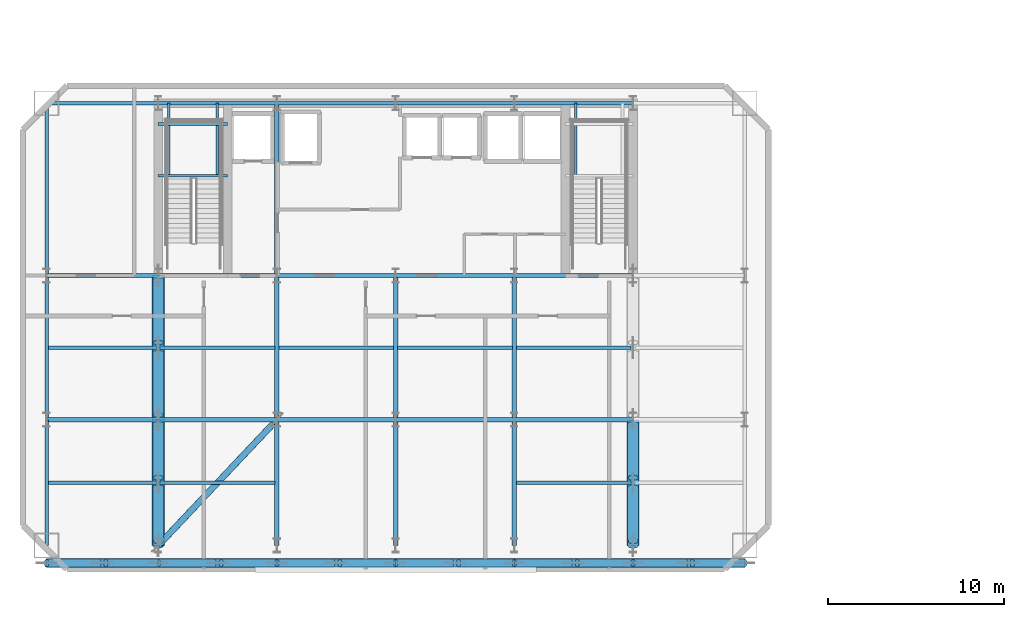
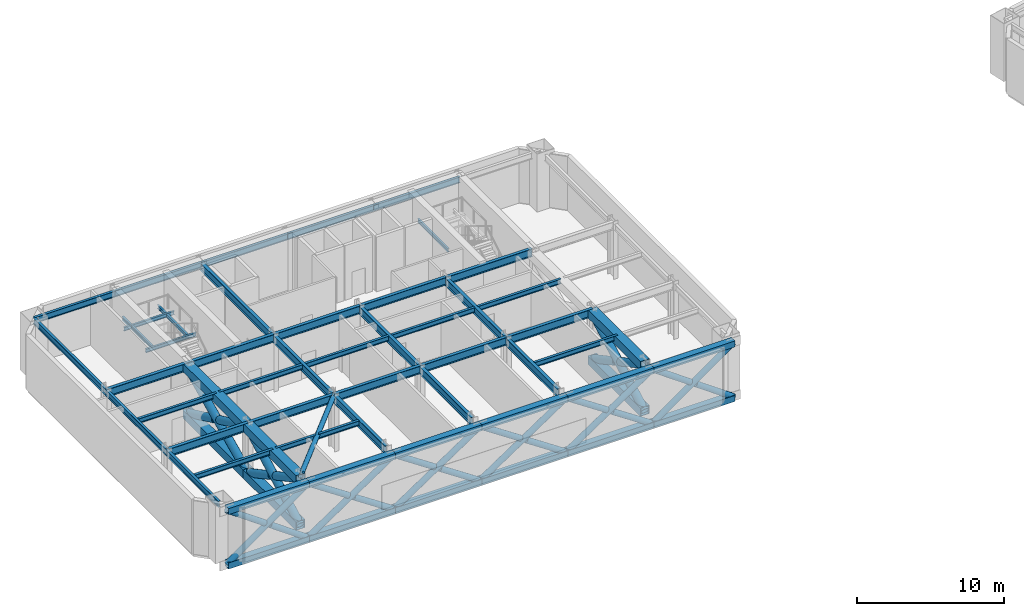
# One storey, part 3 of 15: 46 members, 38 beams.
"""IFC4 building model written with IfcOpenShell, lengths in metres."""

from ifc_helpers import new_model, si_unit, direction, frame, origin, origin_2d, place, context, subcontext, project, spatial, hollow_rectangle, hollow_circle, i_section, extrude, material, material_profile, profile_set, type_object, element, save


model = new_model("IFC4")

# Units and contexts
model_context = context("Model", 3, precision=1e-05, world=origin(), true_north=direction((0.0, 1.0)))
body_context = subcontext(model_context, "Body", "Model", "MODEL_VIEW")
ifc_project = project(units=[si_unit("LENGTHUNIT", "METRE"), si_unit("AREAUNIT", "SQUARE_METRE"), si_unit("VOLUMEUNIT", "CUBIC_METRE"), si_unit("PLANEANGLEUNIT", "RADIAN"), si_unit("MASSUNIT", "GRAM", prefix="KILO")], contexts=[model_context])

# Site, building, storey
site_placement = place(None, origin())
site = spatial("IfcSite", under=ifc_project, at=site_placement, CompositionType="ELEMENT")
building_placement = place(site_placement, origin())
building = spatial("IfcBuilding", under=site, at=building_placement, Name="Haevon Station Towers", CompositionType="ELEMENT")
storey_placement = place(building_placement, frame((0.0, 0.0, 138.0)))
storey = spatial("IfcBuildingStorey", under=building, at=storey_placement, Name="L37", CompositionType="ELEMENT", Elevation=138.0)

# Beams
ifc_material_1 = material(Name="Steel S355", Category="steel")
ifc_material_profile_1 = material_profile(ifc_material_1, i_section(OverallWidth=0.25, OverallDepth=0.64990234375, WebThickness=0.012939453125, FlangeThickness=0.02197265625, at=origin_2d()), Name="H-650x250x13x22")
ifc_profile_set_1 = profile_set([ifc_material_profile_1], Name="Steel S355")
beam_type_1 = type_object("IfcBeamType", Name="BM-G650", PredefinedType="BEAM", material=ifc_profile_set_1)
beam_1_placement = place(storey_placement, frame((17.64990234375, 30.0, 4.22509765625), z_axis=(1.0, 0.0, 0.0), x_axis=(0.0, 1.0, 0.0)))
element("IfcBeam", 1, at=beam_1_placement, inside=storey, type_object=beam_type_1, Name="BM-T1U-L37-02-01", PredefinedType="BEAM", context=body_context, shape_type="SweptSolid", body=[
    extrude(i_section(OverallWidth=0.25, OverallDepth=0.64990234375, WebThickness=0.012939453125, FlangeThickness=0.02197265625, at=origin_2d()), origin(), (0.0, 0.0, 1.0), 6.35009765625),
])
for number, where, z_axis, x_axis, name in (
    (2, (24.0, 30.0, 4.22509765625), (1.0, 0.0, 0.0), (0.0, 1.0, 0.0), "BM-T1U-L37-02-02"),
    (3, (30.75, 30.0, 4.22509765625), (1.0, 0.0, 0.0), (0.0, 1.0, 0.0), "BM-T1U-L37-02-03"),
    (4, (37.5, 30.0, 4.22509765625), (1.0, 0.0, 0.0), (0.0, 1.0, 0.0), "BM-T1U-L37-02-04"),
    (5, (44.25, 30.0, 4.22509765625), (1.0, 0.0, 0.0), (0.0, 1.0, 0.0), "BM-T1U-L37-02-05"),
):
    element("IfcBeam", number, at=place(storey_placement, frame(where, z_axis=z_axis, x_axis=x_axis)), inside=storey, type_object=beam_type_1, Name=name, PredefinedType="BEAM", context=body_context, shape_type="SweptSolid", body=[
        extrude(i_section(OverallWidth=0.25, OverallDepth=0.64990234375, WebThickness=0.012939453125, FlangeThickness=0.02197265625, at=origin_2d()), origin(), (0.0, 0.0, 1.0), 6.75),
    ])
beam_2_placement = place(storey_placement, frame((17.64990234375, 38.199951171875, 4.22509765625), z_axis=(1.0, 0.0, 0.0), x_axis=(0.0, 1.0, 0.0)))
element("IfcBeam", 6, at=beam_2_placement, inside=storey, type_object=beam_type_1, Name="BM-T1U-L37-03-01", PredefinedType="BEAM", context=body_context, shape_type="SweptSolid", body=[
    extrude(i_section(OverallWidth=0.25, OverallDepth=0.64990234375, WebThickness=0.012939453125, FlangeThickness=0.02197265625, at=origin_2d()), origin(), (0.0, 0.0, 1.0), 6.35009765625),
])
for number, where, z_axis, x_axis, name in (
    (7, (24.0, 38.199951171875, 4.22509765625), (1.0, 0.0, 0.0), (0.0, 1.0, 0.0), "BM-T1U-L37-03-02"),
    (8, (30.75, 38.199951171875, 4.22509765625), (1.0, 0.0, 0.0), (0.0, 1.0, 0.0), "BM-T1U-L37-03-03"),
    (9, (37.5, 38.199951171875, 4.22509765625), (1.0, 0.0, 0.0), (0.0, 1.0, 0.0), "BM-T1U-L37-03-04"),
    (10, (44.25, 38.199951171875, 4.22509765625), (1.0, 0.0, 0.0), (0.0, 1.0, 0.0), "BM-T1U-L37-03-05"),
):
    element("IfcBeam", number, at=place(storey_placement, frame(where, z_axis=z_axis, x_axis=x_axis)), inside=storey, type_object=beam_type_1, Name=name, PredefinedType="BEAM", context=body_context, shape_type="SweptSolid", body=[
        extrude(i_section(OverallWidth=0.25, OverallDepth=0.64990234375, WebThickness=0.012939453125, FlangeThickness=0.02197265625, at=origin_2d()), origin(), (0.0, 0.0, 1.0), 6.75),
    ])
beam_3_placement = place(storey_placement, frame((30.75, 22.85009765625, 4.22509765625), z_axis=(0.0, 1.0, 0.0), x_axis=(-1.0, 0.0, 0.0)))
element("IfcBeam", 11, at=beam_3_placement, inside=storey, type_object=beam_type_1, Name="BM-T1V-L37-03-01", PredefinedType="BEAM", context=body_context, shape_type="SweptSolid", body=[
    extrude(i_section(OverallWidth=0.25, OverallDepth=0.64990234375, WebThickness=0.012939453125, FlangeThickness=0.02197265625, at=origin_2d()), origin(), (0.0, 0.0, 1.0), 7.14990234375),
])
beam_4_placement = place(storey_placement, frame((30.75, 30.0, 4.22509765625), z_axis=(0.0, 1.0, 0.0), x_axis=(-1.0, 0.0, 0.0)))
element("IfcBeam", 12, at=beam_4_placement, inside=storey, type_object=beam_type_1, Name="BM-T1V-L37-03-02", PredefinedType="BEAM", context=body_context, shape_type="SweptSolid", body=[
    extrude(i_section(OverallWidth=0.25, OverallDepth=0.64990234375, WebThickness=0.012939453125, FlangeThickness=0.02197265625, at=origin_2d()), origin(), (0.0, 0.0, 1.0), 8.199951171875),
])
beam_5_placement = place(storey_placement, frame((30.75, 38.199951171875, 4.22509765625), z_axis=(0.0, 1.0, 0.0), x_axis=(-1.0, 0.0, 0.0)))
element("IfcBeam", 13, at=beam_5_placement, inside=storey, type_object=beam_type_1, Name="BM-T1V-L37-03-03", PredefinedType="BEAM", context=body_context, shape_type="SweptSolid", body=[
    extrude(i_section(OverallWidth=0.25, OverallDepth=0.64990234375, WebThickness=0.012939453125, FlangeThickness=0.02197265625, at=origin_2d()), origin(), (0.0, 0.0, 1.0), 9.800048828125),
])
beam_6_placement = place(storey_placement, frame((37.5, 22.85009765625, 4.22509765625), z_axis=(0.0, 1.0, 0.0), x_axis=(-1.0, 0.0, 0.0)))
element("IfcBeam", 14, at=beam_6_placement, inside=storey, type_object=beam_type_1, Name="BM-T1V-L37-04-01", PredefinedType="BEAM", context=body_context, shape_type="SweptSolid", body=[
    extrude(i_section(OverallWidth=0.25, OverallDepth=0.64990234375, WebThickness=0.012939453125, FlangeThickness=0.02197265625, at=origin_2d()), origin(), (0.0, 0.0, 1.0), 7.14990234375),
])
beam_7_placement = place(storey_placement, frame((37.5, 30.0, 4.22509765625), z_axis=(0.0, 1.0, 0.0), x_axis=(-1.0, 0.0, 0.0)))
element("IfcBeam", 15, at=beam_7_placement, inside=storey, type_object=beam_type_1, Name="BM-T1V-L37-04-02", PredefinedType="BEAM", context=body_context, shape_type="SweptSolid", body=[
    extrude(i_section(OverallWidth=0.25, OverallDepth=0.64990234375, WebThickness=0.012939453125, FlangeThickness=0.02197265625, at=origin_2d()), origin(), (0.0, 0.0, 1.0), 8.199951171875),
])
beam_8_placement = place(storey_placement, frame((44.25, 22.85009765625, 4.22509765625), z_axis=(0.0, 1.0, 0.0), x_axis=(-1.0, 0.0, 0.0)))
element("IfcBeam", 16, at=beam_8_placement, inside=storey, type_object=beam_type_1, Name="BM-T1V-L37-05-01", PredefinedType="BEAM", context=body_context, shape_type="SweptSolid", body=[
    extrude(i_section(OverallWidth=0.25, OverallDepth=0.64990234375, WebThickness=0.012939453125, FlangeThickness=0.02197265625, at=origin_2d()), origin(), (0.0, 0.0, 1.0), 7.14990234375),
])
beam_9_placement = place(storey_placement, frame((44.25, 30.0, 4.22509765625), z_axis=(0.0, 1.0, 0.0), x_axis=(-1.0, 0.0, 0.0)))
element("IfcBeam", 17, at=beam_9_placement, inside=storey, type_object=beam_type_1, Name="BM-T1V-L37-05-02", PredefinedType="BEAM", context=body_context, shape_type="SweptSolid", body=[
    extrude(i_section(OverallWidth=0.25, OverallDepth=0.64990234375, WebThickness=0.012939453125, FlangeThickness=0.02197265625, at=origin_2d()), origin(), (0.0, 0.0, 1.0), 8.199951171875),
])
ifc_material_profile_2 = material_profile(ifc_material_1, i_section(OverallWidth=0.199951171875, OverallDepth=0.39990234375, WebThickness=0.008056640625, FlangeThickness=0.012939453125, at=origin_2d()), Name="H-400x200x8x13")
ifc_profile_set_2 = profile_set([ifc_material_profile_2], Name="Steel S355")
beam_type_2 = type_object("IfcBeamType", Name="BM-J400", PredefinedType="JOIST", material=ifc_profile_set_2)
beam_10_placement = place(storey_placement, frame((17.760009765625, 26.425048828125, 4.35009765625), z_axis=(1.0, 0.0, 0.0), x_axis=(0.0, 1.0, 0.0)))
element("IfcBeam", 18, at=beam_10_placement, inside=storey, type_object=beam_type_2, Name="BM-T1J-L37-01-01", PredefinedType="JOIST", context=body_context, shape_type="SweptSolid", body=[
    extrude(i_section(OverallWidth=0.199951171875, OverallDepth=0.39990234375, WebThickness=0.008056640625, FlangeThickness=0.012939453125, at=origin_2d()), origin(), (0.0, 0.0, 1.0), 6.1298828125),
])
for number, where, z_axis, x_axis, name in (
    (19, (24.110107421875, 26.425048828125, 4.35009765625), (1.0, 0.0, 0.0), (0.0, 1.0, 0.0), "BM-T1J-L37-01-02"),
    (20, (44.360107421875, 26.425048828125, 4.35009765625), (1.0, 0.0, 0.0), (0.0, 1.0, 0.0), "BM-T1J-L37-01-05"),
):
    element("IfcBeam", number, at=place(storey_placement, frame(where, z_axis=z_axis, x_axis=x_axis)), inside=storey, type_object=beam_type_2, Name=name, PredefinedType="JOIST", context=body_context, shape_type="SweptSolid", body=[
        extrude(i_section(OverallWidth=0.199951171875, OverallDepth=0.39990234375, WebThickness=0.008056640625, FlangeThickness=0.012939453125, at=origin_2d()), origin(), (0.0, 0.0, 1.0), 6.52978515625),
    ])
beam_11_placement = place(storey_placement, frame((17.760009765625, 34.10009765625, 4.35009765625), z_axis=(1.0, 0.0, 0.0), x_axis=(0.0, 1.0, 0.0)))
element("IfcBeam", 21, at=beam_11_placement, inside=storey, type_object=beam_type_2, Name="BM-T1J-L37-02-01", PredefinedType="JOIST", context=body_context, shape_type="SweptSolid", body=[
    extrude(i_section(OverallWidth=0.199951171875, OverallDepth=0.39990234375, WebThickness=0.008056640625, FlangeThickness=0.012939453125, at=origin_2d()), origin(), (0.0, 0.0, 1.0), 6.1298828125),
])
for number, where, z_axis, x_axis, name in (
    (22, (24.110107421875, 34.10009765625, 4.35009765625), (1.0, 0.0, 0.0), (0.0, 1.0, 0.0), "BM-T1J-L37-02-02"),
    (23, (30.860107421875, 34.10009765625, 4.35009765625), (1.0, 0.0, 0.0), (0.0, 1.0, 0.0), "BM-T1J-L37-02-03"),
    (24, (37.610107421875, 34.10009765625, 4.35009765625), (1.0, 0.0, 0.0), (0.0, 1.0, 0.0), "BM-T1J-L37-02-04"),
    (25, (44.360107421875, 34.10009765625, 4.35009765625), (1.0, 0.0, 0.0), (0.0, 1.0, 0.0), "BM-T1J-L37-02-05"),
):
    element("IfcBeam", number, at=place(storey_placement, frame(where, z_axis=z_axis, x_axis=x_axis)), inside=storey, type_object=beam_type_2, Name=name, PredefinedType="JOIST", context=body_context, shape_type="SweptSolid", body=[
        extrude(i_section(OverallWidth=0.199951171875, OverallDepth=0.39990234375, WebThickness=0.008056640625, FlangeThickness=0.012939453125, at=origin_2d()), origin(), (0.0, 0.0, 1.0), 6.52978515625),
    ])
ifc_material_profile_3 = material_profile(ifc_material_1, i_section(OverallWidth=0.14990234375, OverallDepth=0.300048828125, WebThickness=0.006591796875, FlangeThickness=0.009033203125, at=origin_2d()), Name="H-300x150x6.5x9")
ifc_profile_set_3 = profile_set([ifc_material_profile_3], Name="Steel S355")
beam_type_3 = type_object("IfcBeamType", Name="BM-LIN300", PredefinedType="LINTEL", material=ifc_profile_set_3)
for number, where, z_axis, x_axis, name in (
    (26, (24.0, 43.864013671875, 2.050048828125), (1.0, 0.0, 0.0), (0.0, 1.0, 0.0), "BM-ST1L-L37-1-S"),
    (27, (24.0, 46.820068359375, 2.050048828125), (1.0, 0.0, 0.0), (0.0, 1.0, 0.0), "BM-ST1L-L37-1-N"),
):
    element("IfcBeam", number, at=place(storey_placement, frame(where, z_axis=z_axis, x_axis=x_axis)), inside=storey, type_object=beam_type_3, Name=name, PredefinedType="LINTEL", context=body_context, shape_type="SweptSolid", body=[
        extrude(i_section(OverallWidth=0.14990234375, OverallDepth=0.300048828125, WebThickness=0.006591796875, FlangeThickness=0.009033203125, at=origin_2d()), origin(), (0.0, 0.0, 1.0), 3.949951171875),
    ])
for number, where, z_axis, x_axis, name in (
    (28, (24.60009765625, 43.864013671875, 2.050048828125), (0.0, 1.0, 0.0), (-1.0, 0.0, 0.0), "BM-ST1L-L37-1-W"),
    (29, (27.35009765625, 43.864013671875, 2.050048828125), (0.0, 1.0, 0.0), (-1.0, 0.0, 0.0), "BM-ST1L-L37-1-E"),
    (30, (47.75, 43.864013671875, 2.050048828125), (0.0, 1.0, 0.0), (-1.0, 0.0, 0.0), "BM-ST2L-L37-1-W"),
):
    element("IfcBeam", number, at=place(storey_placement, frame(where, z_axis=z_axis, x_axis=x_axis)), inside=storey, type_object=beam_type_3, Name=name, PredefinedType="LINTEL", context=body_context, shape_type="SweptSolid", body=[
        extrude(i_section(OverallWidth=0.14990234375, OverallDepth=0.300048828125, WebThickness=0.006591796875, FlangeThickness=0.009033203125, at=origin_2d()), origin(), (0.0, 0.0, 1.0), 4.135986328125),
    ])
ifc_material_profile_4 = material_profile(ifc_material_1, i_section(OverallWidth=0.199951171875, OverallDepth=0.5, WebThickness=0.010009765625, FlangeThickness=0.01611328125, at=origin_2d()), Name="H-500x200x10x16")
ifc_profile_set_4 = profile_set([ifc_material_profile_4], Name="Steel S355")
beam_type_4 = type_object("IfcBeamType", Name="BM-SP500", PredefinedType="SPANDREL", material=ifc_profile_set_4)
beam_12_placement = place(storey_placement, frame((17.64990234375, 48.0, 4.300048828125), z_axis=(1.0, 0.0, 0.0), x_axis=(0.0, 1.0, 0.0)))
element("IfcBeam", 31, at=beam_12_placement, inside=storey, type_object=beam_type_4, Name="BM-T1U-L37-04-01", PredefinedType="SPANDREL", context=body_context, shape_type="SweptSolid", body=[
    extrude(i_section(OverallWidth=0.199951171875, OverallDepth=0.5, WebThickness=0.010009765625, FlangeThickness=0.01611328125, at=origin_2d()), origin(), (0.0, 0.0, 1.0), 6.35009765625),
])
for number, where, z_axis, x_axis, name in (
    (32, (24.0, 48.0, 4.300048828125), (1.0, 0.0, 0.0), (0.0, 1.0, 0.0), "BM-T1U-L37-04-02"),
    (33, (30.75, 48.0, 4.300048828125), (1.0, 0.0, 0.0), (0.0, 1.0, 0.0), "BM-T1U-L37-04-03"),
    (34, (37.5, 48.0, 4.300048828125), (1.0, 0.0, 0.0), (0.0, 1.0, 0.0), "BM-T1U-L37-04-04"),
    (35, (44.25, 48.0, 4.300048828125), (1.0, 0.0, 0.0), (0.0, 1.0, 0.0), "BM-T1U-L37-04-05"),
):
    element("IfcBeam", number, at=place(storey_placement, frame(where, z_axis=z_axis, x_axis=x_axis)), inside=storey, type_object=beam_type_4, Name=name, PredefinedType="SPANDREL", context=body_context, shape_type="SweptSolid", body=[
        extrude(i_section(OverallWidth=0.199951171875, OverallDepth=0.5, WebThickness=0.010009765625, FlangeThickness=0.01611328125, at=origin_2d()), origin(), (0.0, 0.0, 1.0), 6.75),
    ])
beam_13_placement = place(storey_placement, frame((17.64990234375, 22.85009765625, 4.300048828125), z_axis=(0.0, 1.0, 0.0), x_axis=(-1.0, 0.0, 0.0)))
element("IfcBeam", 36, at=beam_13_placement, inside=storey, type_object=beam_type_4, Name="BM-T1V-L37-01-01", PredefinedType="SPANDREL", context=body_context, shape_type="SweptSolid", body=[
    extrude(i_section(OverallWidth=0.199951171875, OverallDepth=0.5, WebThickness=0.010009765625, FlangeThickness=0.01611328125, at=origin_2d()), origin(), (0.0, 0.0, 1.0), 7.14990234375),
])
beam_14_placement = place(storey_placement, frame((17.64990234375, 30.0, 4.300048828125), z_axis=(0.0, 1.0, 0.0), x_axis=(-1.0, 0.0, 0.0)))
element("IfcBeam", 37, at=beam_14_placement, inside=storey, type_object=beam_type_4, Name="BM-T1V-L37-01-02", PredefinedType="SPANDREL", context=body_context, shape_type="SweptSolid", body=[
    extrude(i_section(OverallWidth=0.199951171875, OverallDepth=0.5, WebThickness=0.010009765625, FlangeThickness=0.01611328125, at=origin_2d()), origin(), (0.0, 0.0, 1.0), 8.199951171875),
])
beam_15_placement = place(storey_placement, frame((17.64990234375, 38.199951171875, 4.300048828125), z_axis=(0.0, 1.0, 0.0), x_axis=(-1.0, 0.0, 0.0)))
element("IfcBeam", 38, at=beam_15_placement, inside=storey, type_object=beam_type_4, Name="BM-T1V-L37-01-03", PredefinedType="SPANDREL", context=body_context, shape_type="SweptSolid", body=[
    extrude(i_section(OverallWidth=0.199951171875, OverallDepth=0.5, WebThickness=0.010009765625, FlangeThickness=0.01611328125, at=origin_2d()), origin(), (0.0, 0.0, 1.0), 9.800048828125),
])

# Members
ifc_material_2 = material(Name="Steel S460", Category="steel")
ifc_material_profile_5 = material_profile(ifc_material_2, hollow_circle(Radius=0.228515625, WallThickness=0.02001953125, at=origin_2d()), Name="CHS-457x20")
ifc_profile_set_5 = profile_set([ifc_material_profile_5], Name="Steel S460")
member_type_1 = type_object("IfcMemberType", Name="BRBLT-457", PredefinedType="BRACE", material=ifc_profile_set_5)
member_1_placement = place(storey_placement, frame((17.64990234375, 21.85009765625, -0.080078125), z_axis=(0.815295676517, 0.0, 0.579044868601), x_axis=(0.0, 1.0, 0.0)))
element("IfcMember", 39, at=member_1_placement, inside=storey, type_object=member_type_1, Name="Tower 1 L37 Belt Truss Continuous Diagonal", PredefinedType="BRACE", context=body_context, shape_type="SweptSolid", body=[
    extrude(hollow_circle(Radius=0.228515625, WallThickness=0.02001953125, at=origin_2d()), origin(), (0.0, 0.0, 1.0), 7.788818359375),
])
for number, where, z_axis, x_axis, name in (
    (40, (17.64990234375, 21.85009765625, 4.429931640625), (0.815301602012, 0.0, -0.579036525408), (0.0, 1.0, 0.0), "Tower 1 L37 Belt Truss Split Counter Diagonal Lower"),
    (41, (21.02099609375, 21.85009765625, 2.03564453125), (0.815301602012, 0.0, -0.579036525408), (0.0, 1.0, 0.0), "Tower 1 L37 Belt Truss Split Counter Diagonal Upper"),
):
    element("IfcMember", number, at=place(storey_placement, frame(where, z_axis=z_axis, x_axis=x_axis)), inside=storey, type_object=member_type_1, Name=name, PredefinedType="BRACE", context=body_context, shape_type="SweptSolid", body=[
        extrude(hollow_circle(Radius=0.228515625, WallThickness=0.02001953125, at=origin_2d()), origin(), (0.0, 0.0, 1.0), 3.65380859375),
    ])
member_2_placement = place(storey_placement, frame((24.0, 21.85009765625, -0.080078125), z_axis=(0.831480767382, 0.0, 0.5555535379), x_axis=(0.0, 1.0, 0.0)))
element("IfcMember", 42, at=member_2_placement, inside=storey, type_object=member_type_1, Name="Tower 1 L37 Belt Truss Continuous Diagonal", PredefinedType="BRACE", context=body_context, shape_type="SweptSolid", body=[
    extrude(hollow_circle(Radius=0.228515625, WallThickness=0.02001953125, at=origin_2d()), origin(), (0.0, 0.0, 1.0), 8.1181640625),
])
for number, where, z_axis, x_axis, name in (
    (43, (24.0, 21.85009765625, 4.429931640625), (0.831489198746, 0.0, -0.555540918716), (0.0, 1.0, 0.0), "Tower 1 L37 Belt Truss Split Counter Diagonal Lower"),
    (44, (27.574951171875, 21.85009765625, 2.04150390625), (0.831459664848, 0.0, -0.555585120149), (0.0, 1.0, 0.0), "Tower 1 L37 Belt Truss Split Counter Diagonal Upper"),
):
    element("IfcMember", number, at=place(storey_placement, frame(where, z_axis=z_axis, x_axis=x_axis)), inside=storey, type_object=member_type_1, Name=name, PredefinedType="BRACE", context=body_context, shape_type="SweptSolid", body=[
        extrude(hollow_circle(Radius=0.228515625, WallThickness=0.02001953125, at=origin_2d()), origin(), (0.0, 0.0, 1.0), 3.818603515625),
    ])
member_3_placement = place(storey_placement, frame((30.75, 21.85009765625, -0.080078125), z_axis=(0.831480767382, 0.0, 0.5555535379), x_axis=(0.0, 1.0, 0.0)))
element("IfcMember", 45, at=member_3_placement, inside=storey, type_object=member_type_1, Name="Tower 1 L37 Belt Truss Continuous Diagonal", PredefinedType="BRACE", context=body_context, shape_type="SweptSolid", body=[
    extrude(hollow_circle(Radius=0.228515625, WallThickness=0.02001953125, at=origin_2d()), origin(), (0.0, 0.0, 1.0), 8.1181640625),
])
for number, where, z_axis, x_axis, name in (
    (46, (30.75, 21.85009765625, 4.429931640625), (0.831489198746, 0.0, -0.555540918716), (0.0, 1.0, 0.0), "Tower 1 L37 Belt Truss Split Counter Diagonal Lower"),
    (47, (34.324951171875, 21.85009765625, 2.04150390625), (0.831459664848, 0.0, -0.555585120149), (0.0, 1.0, 0.0), "Tower 1 L37 Belt Truss Split Counter Diagonal Upper"),
):
    element("IfcMember", number, at=place(storey_placement, frame(where, z_axis=z_axis, x_axis=x_axis)), inside=storey, type_object=member_type_1, Name=name, PredefinedType="BRACE", context=body_context, shape_type="SweptSolid", body=[
        extrude(hollow_circle(Radius=0.228515625, WallThickness=0.02001953125, at=origin_2d()), origin(), (0.0, 0.0, 1.0), 3.818603515625),
    ])
member_4_placement = place(storey_placement, frame((37.5, 21.85009765625, -0.080078125), z_axis=(0.831480767382, 0.0, 0.5555535379), x_axis=(0.0, 1.0, 0.0)))
element("IfcMember", 48, at=member_4_placement, inside=storey, type_object=member_type_1, Name="Tower 1 L37 Belt Truss Continuous Diagonal", PredefinedType="BRACE", context=body_context, shape_type="SweptSolid", body=[
    extrude(hollow_circle(Radius=0.228515625, WallThickness=0.02001953125, at=origin_2d()), origin(), (0.0, 0.0, 1.0), 8.1181640625),
])
for number, where, z_axis, x_axis, name in (
    (49, (37.5, 21.85009765625, 4.429931640625), (0.831489198746, 0.0, -0.555540918716), (0.0, 1.0, 0.0), "Tower 1 L37 Belt Truss Split Counter Diagonal Lower"),
    (50, (41.074951171875, 21.85009765625, 2.04150390625), (0.831459664848, 0.0, -0.555585120149), (0.0, 1.0, 0.0), "Tower 1 L37 Belt Truss Split Counter Diagonal Upper"),
):
    element("IfcMember", number, at=place(storey_placement, frame(where, z_axis=z_axis, x_axis=x_axis)), inside=storey, type_object=member_type_1, Name=name, PredefinedType="BRACE", context=body_context, shape_type="SweptSolid", body=[
        extrude(hollow_circle(Radius=0.228515625, WallThickness=0.02001953125, at=origin_2d()), origin(), (0.0, 0.0, 1.0), 3.818603515625),
    ])
member_5_placement = place(storey_placement, frame((44.25, 21.85009765625, -0.080078125), z_axis=(0.831480767382, 0.0, 0.5555535379), x_axis=(0.0, 1.0, 0.0)))
element("IfcMember", 51, at=member_5_placement, inside=storey, type_object=member_type_1, Name="Tower 1 L37 Belt Truss Continuous Diagonal", PredefinedType="BRACE", context=body_context, shape_type="SweptSolid", body=[
    extrude(hollow_circle(Radius=0.228515625, WallThickness=0.02001953125, at=origin_2d()), origin(), (0.0, 0.0, 1.0), 8.1181640625),
])
for number, where, z_axis, x_axis, name in (
    (52, (44.25, 21.85009765625, 4.429931640625), (0.831489198746, 0.0, -0.555540918716), (0.0, 1.0, 0.0), "Tower 1 L37 Belt Truss Split Counter Diagonal Lower"),
    (53, (47.824951171875, 21.85009765625, 2.04150390625), (0.831459664848, 0.0, -0.555585120149), (0.0, 1.0, 0.0), "Tower 1 L37 Belt Truss Split Counter Diagonal Upper"),
):
    element("IfcMember", number, at=place(storey_placement, frame(where, z_axis=z_axis, x_axis=x_axis)), inside=storey, type_object=member_type_1, Name=name, PredefinedType="BRACE", context=body_context, shape_type="SweptSolid", body=[
        extrude(hollow_circle(Radius=0.228515625, WallThickness=0.02001953125, at=origin_2d()), origin(), (0.0, 0.0, 1.0), 3.818603515625),
    ])
member_6_placement = place(storey_placement, frame((51.0, 21.85009765625, -0.080078125), z_axis=(0.815295676517, 0.0, 0.579044868601), x_axis=(0.0, 1.0, 0.0)))
element("IfcMember", 54, at=member_6_placement, inside=storey, type_object=member_type_1, Name="Tower 1 L37 Belt Truss Continuous Diagonal", PredefinedType="BRACE", context=body_context, shape_type="SweptSolid", body=[
    extrude(hollow_circle(Radius=0.228515625, WallThickness=0.02001953125, at=origin_2d()), origin(), (0.0, 0.0, 1.0), 7.788818359375),
])
for number, where, z_axis, x_axis, name in (
    (55, (51.0, 21.85009765625, 4.429931640625), (0.815301602012, 0.0, -0.579036525408), (0.0, 1.0, 0.0), "Tower 1 L37 Belt Truss Split Counter Diagonal Lower"),
    (56, (54.37109375, 21.85009765625, 2.03564453125), (0.815301602012, 0.0, -0.579036525408), (0.0, 1.0, 0.0), "Tower 1 L37 Belt Truss Split Counter Diagonal Upper"),
):
    element("IfcMember", number, at=place(storey_placement, frame(where, z_axis=z_axis, x_axis=x_axis)), inside=storey, type_object=member_type_1, Name=name, PredefinedType="BRACE", context=body_context, shape_type="SweptSolid", body=[
        extrude(hollow_circle(Radius=0.228515625, WallThickness=0.02001953125, at=origin_2d()), origin(), (0.0, 0.0, 1.0), 3.65380859375),
    ])
ifc_material_profile_6 = material_profile(ifc_material_2, hollow_circle(Radius=0.3046875, WallThickness=0.02490234375, at=origin_2d()), Name="CHS-609.6x25")
ifc_profile_set_6 = profile_set([ifc_material_profile_6], Name="Steel S460")
member_type_2 = type_object("IfcMemberType", Name="BROUT-610", PredefinedType="BRACE", material=ifc_profile_set_6)
member_7_placement = place(storey_placement, frame((24.0, 22.85009765625, 0.35009765625), z_axis=(0.0, 0.880475926784, 0.474090858754), x_axis=(-1.0, 0.0, 0.0)))
element("IfcMember", 57, at=member_7_placement, inside=storey, type_object=member_type_2, Name="Tower 1 L37 Outrigger Truss Continuous Web Brace", PredefinedType="BRACE", context=body_context, shape_type="SweptSolid", body=[
    extrude(hollow_circle(Radius=0.3046875, WallThickness=0.02490234375, at=origin_2d()), origin(), (0.0, 0.0, 1.0), 8.12060546875),
])
for number, where, z_axis, x_axis, name in (
    (58, (24.0, 23.096435546875, 4.067138671875), (0.0, 0.880498259998, -0.474049379432), (-1.0, 0.0, 0.0), "Tower 1 L37 Outrigger Truss Split Counter Brace Lower"),
    (59, (24.0, 26.7041015625, 2.124755859375), (0.0, 0.880452991081, -0.474133452202), (-1.0, 0.0, 0.0), "Tower 1 L37 Outrigger Truss Split Counter Brace Upper"),
):
    element("IfcMember", number, at=place(storey_placement, frame(where, z_axis=z_axis, x_axis=x_axis)), inside=storey, type_object=member_type_2, Name=name, PredefinedType="BRACE", context=body_context, shape_type="SweptSolid", body=[
        extrude(hollow_circle(Radius=0.3046875, WallThickness=0.02490234375, at=origin_2d()), origin(), (0.0, 0.0, 1.0), 3.46337890625),
    ])
member_8_placement = place(storey_placement, frame((24.0, 30.0, 0.35009765625), z_axis=(0.0, 0.905198859687, 0.424988263864), x_axis=(-1.0, 0.0, 0.0)))
element("IfcMember", 60, at=member_8_placement, inside=storey, type_object=member_type_2, Name="Tower 1 L37 Outrigger Truss Continuous Web Brace", PredefinedType="BRACE", context=body_context, shape_type="SweptSolid", body=[
    extrude(hollow_circle(Radius=0.3046875, WallThickness=0.02490234375, at=origin_2d()), origin(), (0.0, 0.0, 1.0), 9.058837890625),
])
for number, where, z_axis, x_axis, name in (
    (61, (24.0, 30.25341796875, 4.0810546875), (0.0, 0.905181378776, -0.425025495137), (-1.0, 0.0, 0.0), "Tower 1 L37 Outrigger Truss Split Counter Brace Lower"),
    (62, (24.0, 34.386962890625, 2.140380859375), (0.0, 0.905181378776, -0.425025495137), (-1.0, 0.0, 0.0), "Tower 1 L37 Outrigger Truss Split Counter Brace Upper"),
):
    element("IfcMember", number, at=place(storey_placement, frame(where, z_axis=z_axis, x_axis=x_axis)), inside=storey, type_object=member_type_2, Name=name, PredefinedType="BRACE", context=body_context, shape_type="SweptSolid", body=[
        extrude(hollow_circle(Radius=0.3046875, WallThickness=0.02490234375, at=origin_2d()), origin(), (0.0, 0.0, 1.0), 3.932373046875),
    ])
member_9_placement = place(storey_placement, frame((51.0, 22.85009765625, 0.35009765625), z_axis=(0.0, 0.880475926784, 0.474090858754), x_axis=(-1.0, 0.0, 0.0)))
element("IfcMember", 63, at=member_9_placement, inside=storey, type_object=member_type_2, Name="Tower 1 L37 Outrigger Truss Continuous Web Brace", PredefinedType="BRACE", context=body_context, shape_type="SweptSolid", body=[
    extrude(hollow_circle(Radius=0.3046875, WallThickness=0.02490234375, at=origin_2d()), origin(), (0.0, 0.0, 1.0), 8.12060546875),
])
for number, where, z_axis, x_axis, name in (
    (64, (51.0, 23.096435546875, 4.067138671875), (0.0, 0.880498259998, -0.474049379432), (-1.0, 0.0, 0.0), "Tower 1 L37 Outrigger Truss Split Counter Brace Lower"),
    (65, (51.0, 26.7041015625, 2.124755859375), (0.0, 0.880452991081, -0.474133452202), (-1.0, 0.0, 0.0), "Tower 1 L37 Outrigger Truss Split Counter Brace Upper"),
):
    element("IfcMember", number, at=place(storey_placement, frame(where, z_axis=z_axis, x_axis=x_axis)), inside=storey, type_object=member_type_2, Name=name, PredefinedType="BRACE", context=body_context, shape_type="SweptSolid", body=[
        extrude(hollow_circle(Radius=0.3046875, WallThickness=0.02490234375, at=origin_2d()), origin(), (0.0, 0.0, 1.0), 3.46337890625),
    ])
ifc_material_profile_7 = material_profile(ifc_material_2, hollow_rectangle(XDim=0.5, YDim=0.5, WallThickness=0.02490234375, at=origin_2d()), Name="RHS-500x500x25")
ifc_profile_set_7 = profile_set([ifc_material_profile_7], Name="Steel S460")
member_type_3 = type_object("IfcMemberType", Name="CHBLT-500", PredefinedType="CHORD", material=ifc_profile_set_7)
for number, where, z_axis, x_axis, name in (
    (66, (17.64990234375, 21.85009765625, -0.080078125), (1.0, 0.0, 0.0), (0.0, 1.0, 0.0), "Tower 1 L37 Belt Truss Bottom Chord"),
    (67, (17.64990234375, 21.85009765625, 4.429931640625), (1.0, 0.0, 0.0), (0.0, 1.0, 0.0), "Tower 1 L37 Belt Truss Top Chord"),
):
    element("IfcMember", number, at=place(storey_placement, frame(where, z_axis=z_axis, x_axis=x_axis)), inside=storey, type_object=member_type_3, Name=name, PredefinedType="CHORD", context=body_context, shape_type="SweptSolid", body=[
        extrude(hollow_rectangle(XDim=0.5, YDim=0.5, WallThickness=0.02490234375, at=origin_2d()), origin(), (0.0, 0.0, 1.0), 6.35009765625),
    ])
for number, where, z_axis, x_axis, name in (
    (68, (24.0, 21.85009765625, -0.080078125), (1.0, 0.0, 0.0), (0.0, 1.0, 0.0), "Tower 1 L37 Belt Truss Bottom Chord"),
    (69, (24.0, 21.85009765625, 4.429931640625), (1.0, 0.0, 0.0), (0.0, 1.0, 0.0), "Tower 1 L37 Belt Truss Top Chord"),
    (70, (30.75, 21.85009765625, -0.080078125), (1.0, 0.0, 0.0), (0.0, 1.0, 0.0), "Tower 1 L37 Belt Truss Bottom Chord"),
    (71, (30.75, 21.85009765625, 4.429931640625), (1.0, 0.0, 0.0), (0.0, 1.0, 0.0), "Tower 1 L37 Belt Truss Top Chord"),
    (72, (37.5, 21.85009765625, -0.080078125), (1.0, 0.0, 0.0), (0.0, 1.0, 0.0), "Tower 1 L37 Belt Truss Bottom Chord"),
    (73, (37.5, 21.85009765625, 4.429931640625), (1.0, 0.0, 0.0), (0.0, 1.0, 0.0), "Tower 1 L37 Belt Truss Top Chord"),
    (74, (44.25, 21.85009765625, -0.080078125), (1.0, 0.0, 0.0), (0.0, 1.0, 0.0), "Tower 1 L37 Belt Truss Bottom Chord"),
    (75, (44.25, 21.85009765625, 4.429931640625), (1.0, 0.0, 0.0), (0.0, 1.0, 0.0), "Tower 1 L37 Belt Truss Top Chord"),
):
    element("IfcMember", number, at=place(storey_placement, frame(where, z_axis=z_axis, x_axis=x_axis)), inside=storey, type_object=member_type_3, Name=name, PredefinedType="CHORD", context=body_context, shape_type="SweptSolid", body=[
        extrude(hollow_rectangle(XDim=0.5, YDim=0.5, WallThickness=0.02490234375, at=origin_2d()), origin(), (0.0, 0.0, 1.0), 6.75),
    ])
for number, where, z_axis, x_axis, name in (
    (76, (51.0, 21.85009765625, -0.080078125), (1.0, 0.0, 0.0), (0.0, 1.0, 0.0), "Tower 1 L37 Belt Truss Bottom Chord"),
    (77, (51.0, 21.85009765625, 4.429931640625), (1.0, 0.0, 0.0), (0.0, 1.0, 0.0), "Tower 1 L37 Belt Truss Top Chord"),
):
    element("IfcMember", number, at=place(storey_placement, frame(where, z_axis=z_axis, x_axis=x_axis)), inside=storey, type_object=member_type_3, Name=name, PredefinedType="CHORD", context=body_context, shape_type="SweptSolid", body=[
        extrude(hollow_rectangle(XDim=0.5, YDim=0.5, WallThickness=0.02490234375, at=origin_2d()), origin(), (0.0, 0.0, 1.0), 6.35009765625),
    ])
ifc_material_profile_8 = material_profile(ifc_material_2, hollow_rectangle(XDim=0.699951171875, YDim=0.699951171875, WallThickness=0.034912109375, at=origin_2d()), Name="RHS-700x700x35")
ifc_profile_set_8 = profile_set([ifc_material_profile_8], Name="Steel S460")
member_type_4 = type_object("IfcMemberType", Name="CHOUT-700", PredefinedType="CHORD", material=ifc_profile_set_8)
for number, where, z_axis, x_axis, name in (
    (78, (24.0, 22.85009765625, 0.35009765625), (0.0, 1.0, 0.0), (-1.0, 0.0, 0.0), "Tower 1 L37 Outrigger Truss Bottom Chord"),
    (79, (24.0, 22.85009765625, 4.199951171875), (0.0, 1.0, 0.0), (-1.0, 0.0, 0.0), "Tower 1 L37 Outrigger Truss Top Chord"),
):
    element("IfcMember", number, at=place(storey_placement, frame(where, z_axis=z_axis, x_axis=x_axis)), inside=storey, type_object=member_type_4, Name=name, PredefinedType="CHORD", context=body_context, shape_type="SweptSolid", body=[
        extrude(hollow_rectangle(XDim=0.699951171875, YDim=0.699951171875, WallThickness=0.034912109375, at=origin_2d()), origin(), (0.0, 0.0, 1.0), 7.14990234375),
    ])
for number, where, z_axis, x_axis, name in (
    (80, (24.0, 30.0, 0.35009765625), (0.0, 1.0, 0.0), (-1.0, 0.0, 0.0), "Tower 1 L37 Outrigger Truss Bottom Chord"),
    (81, (24.0, 30.0, 4.199951171875), (0.0, 1.0, 0.0), (-1.0, 0.0, 0.0), "Tower 1 L37 Outrigger Truss Top Chord"),
):
    element("IfcMember", number, at=place(storey_placement, frame(where, z_axis=z_axis, x_axis=x_axis)), inside=storey, type_object=member_type_4, Name=name, PredefinedType="CHORD", context=body_context, shape_type="SweptSolid", body=[
        extrude(hollow_rectangle(XDim=0.699951171875, YDim=0.699951171875, WallThickness=0.034912109375, at=origin_2d()), origin(), (0.0, 0.0, 1.0), 8.199951171875),
    ])
for number, where, z_axis, x_axis, name in (
    (82, (51.0, 22.85009765625, 0.35009765625), (0.0, 1.0, 0.0), (-1.0, 0.0, 0.0), "Tower 1 L37 Outrigger Truss Bottom Chord"),
    (83, (51.0, 22.85009765625, 4.199951171875), (0.0, 1.0, 0.0), (-1.0, 0.0, 0.0), "Tower 1 L37 Outrigger Truss Top Chord"),
):
    element("IfcMember", number, at=place(storey_placement, frame(where, z_axis=z_axis, x_axis=x_axis)), inside=storey, type_object=member_type_4, Name=name, PredefinedType="CHORD", context=body_context, shape_type="SweptSolid", body=[
        extrude(hollow_rectangle(XDim=0.699951171875, YDim=0.699951171875, WallThickness=0.034912109375, at=origin_2d()), origin(), (0.0, 0.0, 1.0), 7.14990234375),
    ])
ifc_material_profile_9 = material_profile(ifc_material_1, hollow_circle(Radius=0.177734375, WallThickness=0.01611328125, at=origin_2d()), Name="CHS-355.6x16")
ifc_profile_set_9 = profile_set([ifc_material_profile_9], Name="Steel S355")
member_type_5 = type_object("IfcMemberType", Name="STTIE-356", PredefinedType="STRUT", material=ifc_profile_set_9)
member_10_placement = place(storey_placement, frame((24.0, 22.85009765625, 4.389892578125), z_axis=(0.686479161427, 0.727149476329, 0.0), x_axis=(-0.727149476329, 0.686479161427, 0.0)))
element("IfcMember", 84, at=member_10_placement, inside=storey, type_object=member_type_5, Name="ST-T1TIE-L37", PredefinedType="STRUT", context=body_context, shape_type="SweptSolid", body=[
    extrude(hollow_circle(Radius=0.177734375, WallThickness=0.01611328125, at=origin_2d()), origin(), (0.0, 0.0, 1.0), 9.832763671875),
])

save(model, "model.ifc")
